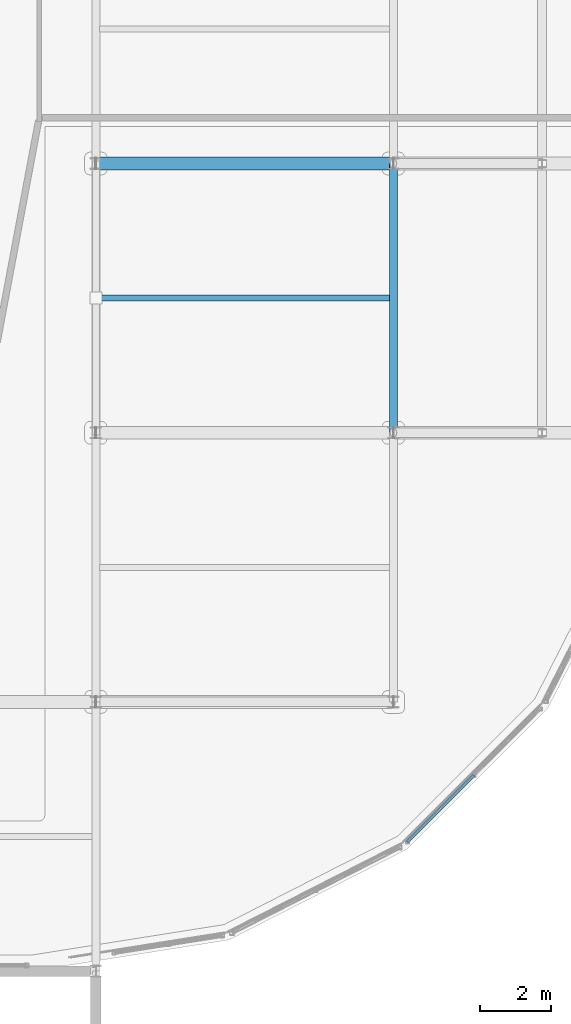
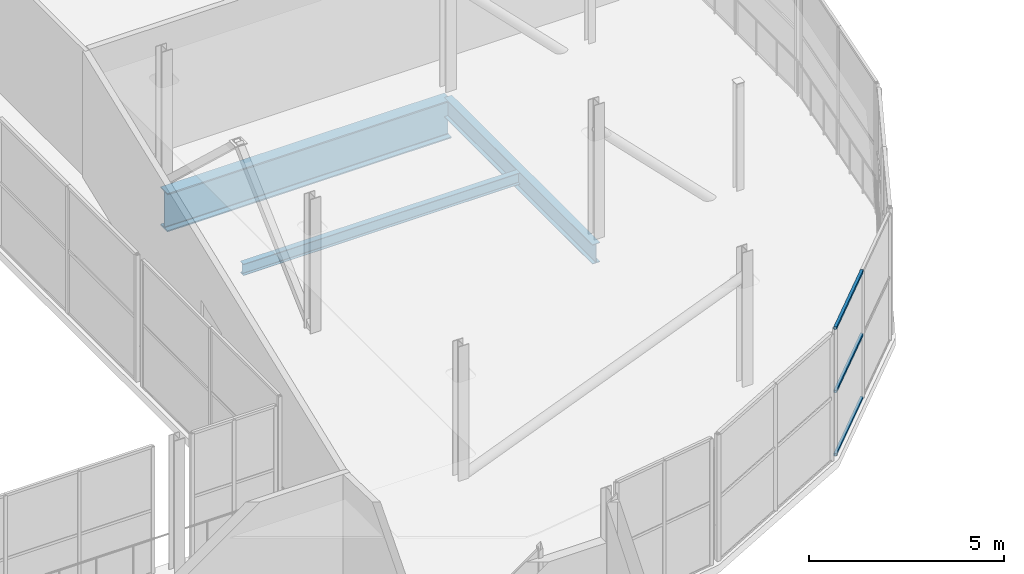
# One storey, part 96 of 151: 3 beams, 3 members, 1 element without a shape of its own.
"""IFC4 building model written with IfcOpenShell, lengths in metres."""

from ifc_helpers import new_model, si_unit, direction, frame, origin, origin_2d, place, context, subcontext, project, spatial, hollow_rectangle, i_section, extrude, material, material_profile, profile_set, type_object, element, aggregate, save


model = new_model("IFC4")

# Units and contexts
model_context = context("Model", 3, precision=1e-05, world=origin(), true_north=direction((0.0, 1.0)))
body_context = subcontext(model_context, "Body", "Model", "MODEL_VIEW")
ifc_project = project(units=[si_unit("LENGTHUNIT", "METRE"), si_unit("AREAUNIT", "SQUARE_METRE"), si_unit("VOLUMEUNIT", "CUBIC_METRE"), si_unit("PLANEANGLEUNIT", "RADIAN"), si_unit("MASSUNIT", "GRAM", prefix="KILO")], contexts=[model_context])

# Site, building, storey
site_placement = place(None, origin())
site = spatial("IfcSite", under=ifc_project, at=site_placement, CompositionType="ELEMENT")
building_placement = place(site_placement, origin())
building = spatial("IfcBuilding", under=site, at=building_placement, Name="Zuvorla Pavilion Media Centre", CompositionType="ELEMENT")
storey_placement = place(building_placement, frame((0.0, 0.0, 13.800048828125)))
storey = spatial("IfcBuildingStorey", under=building, at=storey_placement, Name="L03", CompositionType="ELEMENT", Elevation=13.800048828125)

# Beams
ifc_material_1 = material(Name="Steel S355", Category="steel")
ifc_material_profile_1 = material_profile(ifc_material_1, i_section(OverallWidth=0.360107421875, OverallDepth=1.199951171875, WebThickness=0.02001953125, FlangeThickness=0.0380859375, FilletRadius=0.02392578125, at=origin_2d()), Name="PG 1200x360x38")
ifc_profile_set_1 = profile_set([ifc_material_profile_1], Name="Steel S355")
beam_type_1 = type_object("IfcBeamType", Name="BM-PG1200", PredefinedType="BEAM", material=ifc_profile_set_1)
beam_1_placement = place(storey_placement, frame((159.199951171875, 66.800048828125, -0.858154296875), z_axis=(1.0, 0.0, 0.0), x_axis=(0.0, 1.0, 0.0)))
element("IfcBeam", 1, at=beam_1_placement, inside=storey, type_object=beam_type_1, Name="L03 beam B01 1704", PredefinedType="BEAM", context=body_context, shape_type="SweptSolid", body=[
    extrude(i_section(OverallWidth=0.360107421875, OverallDepth=1.199951171875, WebThickness=0.02001953125, FlangeThickness=0.0380859375, FilletRadius=0.02392578125, at=origin_2d()), origin(), (0.0, 0.0, 1.0), 8.400146484375),
])
ifc_material_profile_2 = material_profile(ifc_material_1, i_section(OverallWidth=0.172119140625, OverallDepth=0.35791015625, WebThickness=0.008056640625, FlangeThickness=0.012939453125, FilletRadius=0.01025390625, at=origin_2d()), Name="UB 356x171x57")
ifc_profile_set_2 = profile_set([ifc_material_profile_2], Name="Steel S355")
beam_type_2 = type_object("IfcBeamType", Name="BM-UB356", PredefinedType="JOIST", material=ifc_profile_set_2)
beam_2_placement = place(storey_placement, frame((159.3095703125, 63.0, -0.43701171875), z_axis=(1.0, 0.0, 0.0), x_axis=(0.0, 1.0, 0.0)))
element("IfcBeam", 2, at=beam_2_placement, inside=storey, type_object=beam_type_2, Name="L03 joist J03 1290", PredefinedType="JOIST", context=body_context, shape_type="SweptSolid", body=[
    extrude(i_section(OverallWidth=0.172119140625, OverallDepth=0.35791015625, WebThickness=0.008056640625, FlangeThickness=0.012939453125, FilletRadius=0.01025390625, at=origin_2d()), origin(), (0.0, 0.0, 1.0), 8.180908203125),
])
ifc_material_profile_3 = material_profile(ifc_material_1, i_section(OverallWidth=0.22900390625, OverallDepth=0.6123046875, WebThickness=0.011962890625, FlangeThickness=0.01953125, FilletRadius=0.0126953125, at=origin_2d()), Name="UB 610x229x125")
ifc_profile_set_3 = profile_set([ifc_material_profile_3], Name="Steel S355")
beam_type_3 = type_object("IfcBeamType", Name="BM-UB610", PredefinedType="BEAM", material=ifc_profile_set_3)
beam_3_placement = place(storey_placement, frame((167.60009765625, 59.199951171875, -0.564208984375), z_axis=(0.0, 1.0, 0.0), x_axis=(-1.0, 0.0, 0.0)))
element("IfcBeam", 3, at=beam_3_placement, inside=storey, type_object=beam_type_3, Name="L03 beam B07 1229", PredefinedType="BEAM", context=body_context, shape_type="SweptSolid", body=[
    extrude(i_section(OverallWidth=0.22900390625, OverallDepth=0.6123046875, WebThickness=0.011962890625, FlangeThickness=0.01953125, FilletRadius=0.0126953125, at=origin_2d()), origin(), (0.0, 0.0, 1.0), 7.60009765625),
])

# Curtain wall, members
ifc_material_2 = material(Name="Unitised anodised aluminium and solar glass curtain wall", Category="aluminium")
curtain_wall_type = type_object("IfcCurtainWallType", Name="CW-SYS-04", PredefinedType="USERDEFINED", material=ifc_material_2)
curtain_wall_placement = place(storey_placement, origin())
curtain_wall = element("IfcCurtainWall", 4, at=curtain_wall_placement, inside=storey, type_object=curtain_wall_type, Name="L03 curtain wall CW04 97", ObjectType="CURTAIN WALL", PredefinedType="USERDEFINED")
ifc_material_3 = material(Name="Anodised aluminium 6063-T6", Category="aluminium")
ifc_material_profile_4 = material_profile(ifc_material_3, hollow_rectangle(XDim=0.080078125, YDim=0.080078125, WallThickness=0.00390625, at=origin_2d()), Name="ALU TRAN 80x80")
ifc_profile_set_4 = profile_set([ifc_material_profile_4], Name="Anodised aluminium 6063-T6")
member_type = type_object("IfcMemberType", Name="CW-TRAN-80", PredefinedType="USERDEFINED", material=ifc_profile_set_4)
member_1_placement = place(storey_placement, frame((167.994140625, 47.64990234375, 0.0), z_axis=(0.707152740485, 0.707060818901, 0.0), x_axis=(-0.707060818901, 0.707152740485, 0.0)))
member_1 = element("IfcMember", 5, at=member_1_placement, type_object=member_type, Name="CW04 transom 1.1", ObjectType="TRANSOM", PredefinedType="USERDEFINED", context=body_context, shape_type="SweptSolid", body=[
    extrude(hollow_rectangle(XDim=0.080078125, YDim=0.080078125, WallThickness=0.00390625, at=origin_2d()), origin(), (0.0, 0.0, 1.0), 2.656005859375),
])
member_2_placement = place(storey_placement, frame((167.994140625, 47.64990234375, 1.97998046875), z_axis=(0.707152740485, 0.707060818901, 0.0), x_axis=(-0.707060818901, 0.707152740485, 0.0)))
member_2 = element("IfcMember", 6, at=member_2_placement, type_object=member_type, Name="CW04 transom 1.2", ObjectType="TRANSOM", PredefinedType="USERDEFINED", context=body_context, shape_type="SweptSolid", body=[
    extrude(hollow_rectangle(XDim=0.080078125, YDim=0.080078125, WallThickness=0.00390625, at=origin_2d()), origin(), (0.0, 0.0, 1.0), 2.656005859375),
])
member_3_placement = place(storey_placement, frame((167.994140625, 47.64990234375, 3.9599609375), z_axis=(0.707152740485, 0.707060818901, 0.0), x_axis=(-0.707060818901, 0.707152740485, 0.0)))
member_3 = element("IfcMember", 7, at=member_3_placement, type_object=member_type, Name="CW04 transom 1.3", ObjectType="TRANSOM", PredefinedType="USERDEFINED", context=body_context, shape_type="SweptSolid", body=[
    extrude(hollow_rectangle(XDim=0.080078125, YDim=0.080078125, WallThickness=0.00390625, at=origin_2d()), origin(), (0.0, 0.0, 1.0), 2.656005859375),
])
aggregate(curtain_wall, [member_1, member_2, member_3])

save(model, "model.ifc")
